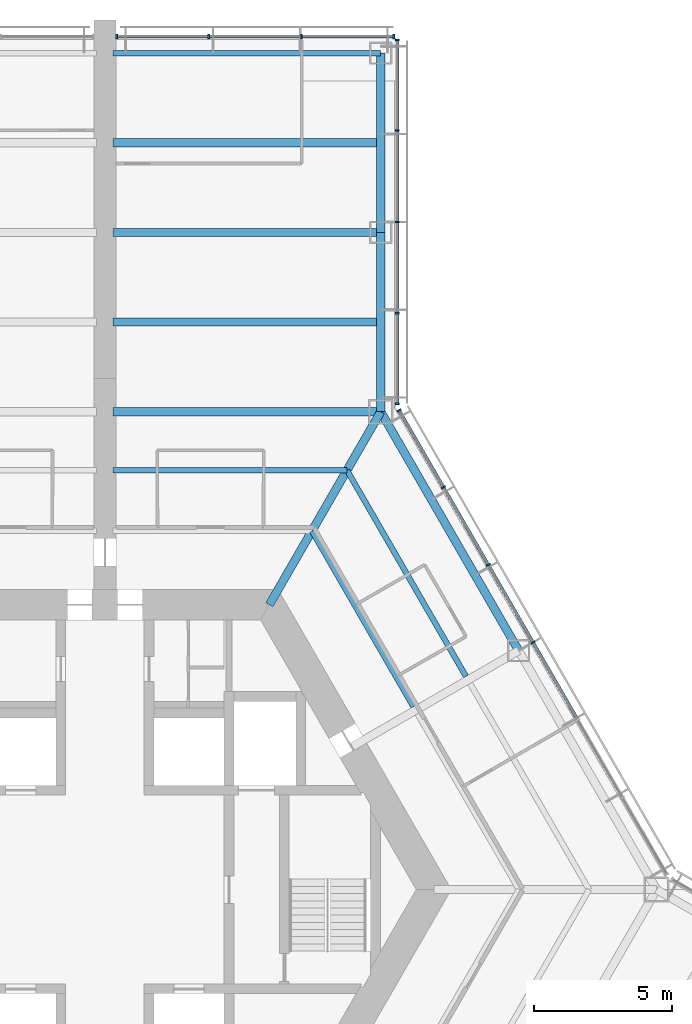
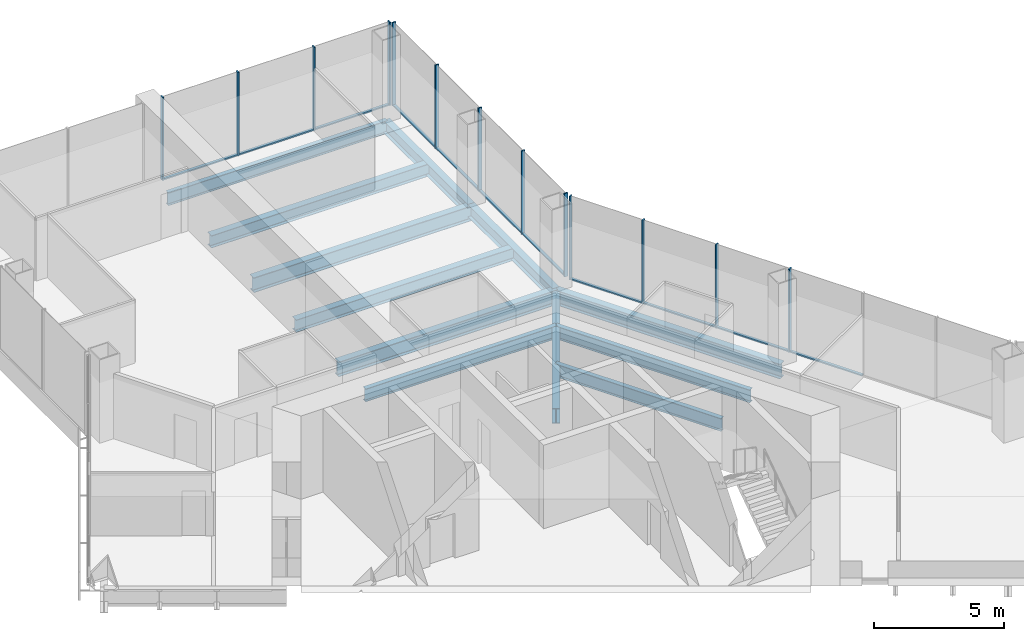
# One storey, part 8 of 18: 24 members, 12 beams, 3 elements without a shape of their own.
"""IFC4 building model written with IfcOpenShell, lengths in metres."""

from ifc_helpers import new_model, si_unit, direction, frame, origin, origin_2d, place, context, subcontext, project, spatial, rectangle, i_section, extrude, material, material_profile, profile_set, type_object, element, aggregate, save


model = new_model("IFC4")

# Units and contexts
model_context = context("Model", 3, precision=1e-05, world=origin(), true_north=direction((0.0, 1.0)))
body_context = subcontext(model_context, "Body", "Model", "MODEL_VIEW")
ifc_project = project(units=[si_unit("LENGTHUNIT", "METRE"), si_unit("AREAUNIT", "SQUARE_METRE"), si_unit("VOLUMEUNIT", "CUBIC_METRE"), si_unit("PLANEANGLEUNIT", "RADIAN"), si_unit("MASSUNIT", "GRAM", prefix="KILO")], contexts=[model_context])

# Site, building, storey
site_placement = place(None, origin())
site = spatial("IfcSite", under=ifc_project, at=site_placement, CompositionType="ELEMENT")
building_placement = place(site_placement, origin())
building = spatial("IfcBuilding", under=site, at=building_placement, Name="Kasaneha Research Tower", CompositionType="ELEMENT")
storey_placement = place(building_placement, frame((0.0, 0.0, 111.89990234375)))
storey = spatial("IfcBuildingStorey", under=building, at=storey_placement, Name="L28", CompositionType="ELEMENT", Elevation=111.89990234375)

# Beams
ifc_material_1 = material(Name="Steel SN490B", Category="steel")
ifc_material_profile_1 = material_profile(ifc_material_1, i_section(OverallWidth=0.199951171875, OverallDepth=0.60009765625, WebThickness=0.010986328125, FlangeThickness=0.01708984375, FilletRadius=0.012939453125, at=origin_2d()), Name="H-600x200x11x17")
ifc_profile_set_1 = profile_set([ifc_material_profile_1], Name="Steel SN490B")
beam_type_1 = type_object("IfcBeamType", Name="B1-3 secondary beam H-600x200x11x17", PredefinedType="JOIST", material=ifc_profile_set_1)
beam_1_placement = place(storey_placement, frame((7.505615234375, 13.0, -0.449951171875), z_axis=(0.499994443168, -0.866028611999, 0.0), x_axis=(0.866028611999, 0.499994443168, 0.0)))
element("IfcBeam", 1, at=beam_1_placement, inside=storey, type_object=beam_type_1, Name="Secondary beam RS030R1 L28", PredefinedType="JOIST", context=body_context, shape_type="SweptSolid", body=[
    extrude(i_section(OverallWidth=0.199951171875, OverallDepth=0.60009765625, WebThickness=0.010986328125, FlangeThickness=0.01708984375, FilletRadius=0.012939453125, at=origin_2d()), origin(), (0.0, 0.0, 1.0), 7.35546875),
])
beam_2_placement = place(storey_placement, frame((8.775634765625, 15.199951171875, -0.449951171875), z_axis=(0.500017275495, -0.866015429543, 0.0), x_axis=(0.866015429543, 0.500017275495, 0.0)))
element("IfcBeam", 2, at=beam_2_placement, inside=storey, type_object=beam_type_1, Name="Secondary beam RS030R2 L28", PredefinedType="JOIST", context=body_context, shape_type="SweptSolid", body=[
    extrude(i_section(OverallWidth=0.199951171875, OverallDepth=0.60009765625, WebThickness=0.010986328125, FlangeThickness=0.01708984375, FilletRadius=0.012939453125, at=origin_2d()), origin(), (0.0, 0.0, 1.0), 8.625732421875),
])
beam_3_placement = place(storey_placement, frame((8.775634765625, 15.199951171875, -0.449951171875), z_axis=(-1.0, 0.0, 0.0), x_axis=(0.0, -1.0, 0.0)))
element("IfcBeam", 3, at=beam_3_placement, inside=storey, type_object=beam_type_1, Name="Secondary beam RS090L2 L28", PredefinedType="JOIST", context=body_context, shape_type="SweptSolid", body=[
    extrude(i_section(OverallWidth=0.199951171875, OverallDepth=0.60009765625, WebThickness=0.010986328125, FlangeThickness=0.01708984375, FilletRadius=0.012939453125, at=origin_2d()), origin(), (0.0, 0.0, 1.0), 8.4755859375),
])
ifc_material_2 = material(Name="Steel SN490B", Category="steel")
ifc_material_profile_2 = material_profile(ifc_material_2, i_section(OverallWidth=0.300048828125, OverallDepth=0.58203125, WebThickness=0.011962890625, FlangeThickness=0.01708984375, FilletRadius=0.012939453125, at=origin_2d()), Name="H-582x300x12x17")
ifc_profile_set_2 = profile_set([ifc_material_profile_2], Name="Steel SN490B")
beam_type_2 = type_object("IfcBeamType", Name="B2-3 secondary beam H-582x300x12x17", PredefinedType="JOIST", material=ifc_profile_set_2)
for number, where, z_axis, x_axis, name in (
    (4, (10.0, 20.570556640625, -0.44091796875), (-1.0, 0.0, 0.0), (0.0, -1.0, 0.0), "Secondary beam WBAP1 L28"),
    (5, (10.0, 27.070556640625, -0.44091796875), (-1.0, 0.0, 0.0), (0.0, -1.0, 0.0), "Secondary beam WBAP2 L28"),
):
    element("IfcBeam", number, at=place(storey_placement, frame(where, z_axis=z_axis, x_axis=x_axis)), inside=storey, type_object=beam_type_2, Name=name, PredefinedType="JOIST", context=body_context, shape_type="SweptSolid", body=[
        extrude(i_section(OverallWidth=0.300048828125, OverallDepth=0.58203125, WebThickness=0.011962890625, FlangeThickness=0.01708984375, FilletRadius=0.012939453125, at=origin_2d()), origin(), (0.0, 0.0, 1.0), 9.699951171875),
    ])

# Curtain wall, members
ifc_material_3 = material(Name="Glass and aluminium", Category="aluminium")
curtain_wall_type = type_object("IfcCurtainWallType", Name="Low-rise office curtain wall", PredefinedType="USERDEFINED", material=ifc_material_3)
curtain_wall_1_placement = place(storey_placement, origin())
curtain_wall_1 = element("IfcCurtainWall", 6, at=curtain_wall_1_placement, inside=storey, type_object=curtain_wall_type, Name="CW-O1 L28 run 07a", ObjectType="UNITISED CURTAIN WALL", PredefinedType="USERDEFINED")
ifc_material_4 = material(Name="Aluminium 6063-T6", Category="aluminium")
ifc_material_profile_3 = material_profile(ifc_material_4, rectangle(XDim=0.06005859375, YDim=0.159912109375, at=origin_2d()), Name="CW-O1 mullion 60x160")
ifc_profile_set_3 = profile_set([ifc_material_profile_3], Name="Aluminium 6063-T6")
member_type_1 = type_object("IfcMemberType", Name="CW-O1 mullion", PredefinedType="MULLION", material=ifc_profile_set_3)
member_1_placement = place(storey_placement, frame((15.51953125, 8.960205078125, 0.0), z_axis=(0.0, 0.0, 1.0), x_axis=(-0.49999996188, 0.866025425793, 0.0)))
member_1 = element("IfcMember", 7, at=member_1_placement, type_object=member_type_1, Name="CW-O1 mullion 4", PredefinedType="MULLION", context=body_context, shape_type="SweptSolid", body=[
    extrude(rectangle(XDim=0.06005859375, YDim=0.159912109375, at=origin_2d()), origin(), (0.0, 0.0, 1.0), 3.900146484375),
])
member_2_placement = place(storey_placement, frame((13.896484375, 11.771728515625, 0.0), z_axis=(0.0, 0.0, 1.0), x_axis=(-0.49999996188, 0.866025425793, 0.0)))
member_2 = element("IfcMember", 8, at=member_2_placement, type_object=member_type_1, Name="CW-O1 mullion 5", PredefinedType="MULLION", context=body_context, shape_type="SweptSolid", body=[
    extrude(rectangle(XDim=0.06005859375, YDim=0.159912109375, at=origin_2d()), origin(), (0.0, 0.0, 1.0), 3.900146484375),
])
member_3_placement = place(storey_placement, frame((12.273193359375, 14.583251953125, 0.0), z_axis=(0.0, 0.0, 1.0), x_axis=(-0.49999996188, 0.866025425793, 0.0)))
member_3 = element("IfcMember", 9, at=member_3_placement, type_object=member_type_1, Name="CW-O1 mullion 6", PredefinedType="MULLION", context=body_context, shape_type="SweptSolid", body=[
    extrude(rectangle(XDim=0.06005859375, YDim=0.159912109375, at=origin_2d()), origin(), (0.0, 0.0, 1.0), 3.900146484375),
])
member_4_placement = place(storey_placement, frame((10.6650390625, 17.36865234375, 0.0), z_axis=(0.0, 0.0, 1.0), x_axis=(-0.49999996188, 0.866025425793, 0.0)))
member_4 = element("IfcMember", 10, at=member_4_placement, type_object=member_type_1, Name="CW-O1 mullion 7", PredefinedType="MULLION", context=body_context, shape_type="SweptSolid", body=[
    extrude(rectangle(XDim=0.06005859375, YDim=0.159912109375, at=origin_2d()), origin(), (0.0, 0.0, 1.0), 3.900146484375),
])

curtain_wall_2_placement = place(storey_placement, origin())
curtain_wall_2 = element("IfcCurtainWall", 11, at=curtain_wall_2_placement, inside=storey, type_object=curtain_wall_type, Name="CW-O1 L28 run 08a", ObjectType="UNITISED CURTAIN WALL", PredefinedType="USERDEFINED")
member_5_placement = place(storey_placement, frame((10.60009765625, 17.611328125, 0.0), z_axis=(0.0, 0.0, 1.0), x_axis=(0.0, 1.0, 0.0)))
member_5 = element("IfcMember", 12, at=member_5_placement, type_object=member_type_1, Name="CW-O1 mullion 1", PredefinedType="MULLION", context=body_context, shape_type="SweptSolid", body=[
    extrude(rectangle(XDim=0.06005859375, YDim=0.159912109375, at=origin_2d()), origin(), (0.0, 0.0, 1.0), 3.900146484375),
])
member_6_placement = place(storey_placement, frame((10.60009765625, 20.89111328125, 0.0), z_axis=(0.0, 0.0, 1.0), x_axis=(0.0, 1.0, 0.0)))
member_6 = element("IfcMember", 13, at=member_6_placement, type_object=member_type_1, Name="CW-O1 mullion 2", PredefinedType="MULLION", context=body_context, shape_type="SweptSolid", body=[
    extrude(rectangle(XDim=0.06005859375, YDim=0.159912109375, at=origin_2d()), origin(), (0.0, 0.0, 1.0), 3.900146484375),
])
member_7_placement = place(storey_placement, frame((10.60009765625, 24.200927734375, 0.0), z_axis=(0.0, 0.0, 1.0), x_axis=(0.0, 1.0, 0.0)))
member_7 = element("IfcMember", 14, at=member_7_placement, type_object=member_type_1, Name="CW-O1 mullion 3", PredefinedType="MULLION", context=body_context, shape_type="SweptSolid", body=[
    extrude(rectangle(XDim=0.06005859375, YDim=0.159912109375, at=origin_2d()), origin(), (0.0, 0.0, 1.0), 3.900146484375),
])
member_8_placement = place(storey_placement, frame((10.60009765625, 27.5107421875, 0.0), z_axis=(0.0, 0.0, 1.0), x_axis=(0.0, 1.0, 0.0)))
member_8 = element("IfcMember", 15, at=member_8_placement, type_object=member_type_1, Name="CW-O1 mullion 4", PredefinedType="MULLION", context=body_context, shape_type="SweptSolid", body=[
    extrude(rectangle(XDim=0.06005859375, YDim=0.159912109375, at=origin_2d()), origin(), (0.0, 0.0, 1.0), 3.900146484375),
])
member_9_placement = place(storey_placement, frame((10.60009765625, 30.79052734375, 0.0), z_axis=(0.0, 0.0, 1.0), x_axis=(0.0, 1.0, 0.0)))
member_9 = element("IfcMember", 16, at=member_9_placement, type_object=member_type_1, Name="CW-O1 mullion 5", PredefinedType="MULLION", context=body_context, shape_type="SweptSolid", body=[
    extrude(rectangle(XDim=0.06005859375, YDim=0.159912109375, at=origin_2d()), origin(), (0.0, 0.0, 1.0), 3.900146484375),
])

curtain_wall_3_placement = place(storey_placement, origin())
curtain_wall_3 = element("IfcCurtainWall", 17, at=curtain_wall_3_placement, inside=storey, type_object=curtain_wall_type, Name="CW-O1 L28 run 09a", ObjectType="UNITISED CURTAIN WALL", PredefinedType="USERDEFINED")
member_10_placement = place(storey_placement, frame((10.469970703125, 30.92041015625, 0.0), z_axis=(0.0, 0.0, 1.0), x_axis=(-1.0, 0.0, 0.0)))
member_10 = element("IfcMember", 18, at=member_10_placement, type_object=member_type_1, Name="CW-O1 mullion 1", PredefinedType="MULLION", context=body_context, shape_type="SweptSolid", body=[
    extrude(rectangle(XDim=0.06005859375, YDim=0.159912109375, at=origin_2d()), origin(), (0.0, 0.0, 1.0), 3.900146484375),
])
member_11_placement = place(storey_placement, frame((7.13330078125, 30.92041015625, 0.0), z_axis=(0.0, 0.0, 1.0), x_axis=(-1.0, 0.0, 0.0)))
member_11 = element("IfcMember", 19, at=member_11_placement, type_object=member_type_1, Name="CW-O1 mullion 2", PredefinedType="MULLION", context=body_context, shape_type="SweptSolid", body=[
    extrude(rectangle(XDim=0.06005859375, YDim=0.159912109375, at=origin_2d()), origin(), (0.0, 0.0, 1.0), 3.900146484375),
])
member_12_placement = place(storey_placement, frame((3.7666015625, 30.92041015625, 0.0), z_axis=(0.0, 0.0, 1.0), x_axis=(-1.0, 0.0, 0.0)))
member_12 = element("IfcMember", 20, at=member_12_placement, type_object=member_type_1, Name="CW-O1 mullion 3", PredefinedType="MULLION", context=body_context, shape_type="SweptSolid", body=[
    extrude(rectangle(XDim=0.06005859375, YDim=0.159912109375, at=origin_2d()), origin(), (0.0, 0.0, 1.0), 3.900146484375),
])
member_13_placement = place(storey_placement, frame((0.429931640625, 30.92041015625, 0.0), z_axis=(0.0, 0.0, 1.0), x_axis=(-1.0, 0.0, 0.0)))
member_13 = element("IfcMember", 21, at=member_13_placement, type_object=member_type_1, Name="CW-O1 mullion 4", PredefinedType="MULLION", context=body_context, shape_type="SweptSolid", body=[
    extrude(rectangle(XDim=0.06005859375, YDim=0.159912109375, at=origin_2d()), origin(), (0.0, 0.0, 1.0), 3.900146484375),
])

# Member
ifc_material_5 = material(Name="Aluminium 6063-T6", Category="aluminium")
ifc_material_profile_4 = material_profile(ifc_material_5, rectangle(XDim=0.1201171875, YDim=0.06005859375, at=origin_2d()), Name="CW-O1 transom 120x60")
ifc_profile_set_4 = profile_set([ifc_material_profile_4], Name="Aluminium 6063-T6")
member_type_2 = type_object("IfcMemberType", Name="CW-O1 transom", PredefinedType="USERDEFINED", material=ifc_profile_set_4)
member_14_placement = place(storey_placement, frame((17.1279296875, 6.1748046875, 0.030029296875), z_axis=(-0.500012062035, 0.866018439653, 0.0), x_axis=(-0.866018439653, -0.500012062035, 0.0)))
member_14 = element("IfcMember", 22, at=member_14_placement, type_object=member_type_2, Name="CW-O1 transom 3", ObjectType="TRANSOM", PredefinedType="USERDEFINED", context=body_context, shape_type="SweptSolid", body=[
    extrude(rectangle(XDim=0.1201171875, YDim=0.06005859375, at=origin_2d()), origin(), (0.0, 0.0, 1.0), 3.1865234375),
])

member_15_placement = place(storey_placement, frame((15.504638671875, 8.986328125, 0.030029296875), z_axis=(-0.500012062035, 0.866018439653, 0.0), x_axis=(-0.866018439653, -0.500012062035, 0.0)))
member_15 = element("IfcMember", 23, at=member_15_placement, type_object=member_type_2, Name="CW-O1 transom 4", ObjectType="TRANSOM", PredefinedType="USERDEFINED", context=body_context, shape_type="SweptSolid", body=[
    extrude(rectangle(XDim=0.1201171875, YDim=0.06005859375, at=origin_2d()), origin(), (0.0, 0.0, 1.0), 3.1865234375),
])

member_16_placement = place(storey_placement, frame((13.88134765625, 11.797607421875, 0.030029296875), z_axis=(-0.500012062035, 0.866018439653, 0.0), x_axis=(-0.866018439653, -0.500012062035, 0.0)))
member_16 = element("IfcMember", 24, at=member_16_placement, type_object=member_type_2, Name="CW-O1 transom 5", ObjectType="TRANSOM", PredefinedType="USERDEFINED", context=body_context, shape_type="SweptSolid", body=[
    extrude(rectangle(XDim=0.1201171875, YDim=0.06005859375, at=origin_2d()), origin(), (0.0, 0.0, 1.0), 3.1865234375),
])

member_17_placement = place(storey_placement, frame((12.25830078125, 14.609130859375, 0.030029296875), z_axis=(-0.500023726918, 0.866011704609, 0.0), x_axis=(-0.866011704609, -0.500023726918, 0.0)))
member_17 = element("IfcMember", 25, at=member_17_placement, type_object=member_type_2, Name="CW-O1 transom 6", ObjectType="TRANSOM", PredefinedType="USERDEFINED", context=body_context, shape_type="SweptSolid", body=[
    extrude(rectangle(XDim=0.1201171875, YDim=0.06005859375, at=origin_2d()), origin(), (0.0, 0.0, 1.0), 3.156494140625),
])

aggregate(curtain_wall_1, [member_1, member_2, member_3, member_4, member_14, member_15, member_16, member_17])

member_18_placement = place(storey_placement, frame((10.60009765625, 17.641357421875, 0.030029296875), z_axis=(0.0, 1.0, 0.0), x_axis=(-1.0, 0.0, 0.0)))
member_18 = element("IfcMember", 26, at=member_18_placement, type_object=member_type_2, Name="CW-O1 transom 1", ObjectType="TRANSOM", PredefinedType="USERDEFINED", context=body_context, shape_type="SweptSolid", body=[
    extrude(rectangle(XDim=0.1201171875, YDim=0.06005859375, at=origin_2d()), origin(), (0.0, 0.0, 1.0), 3.2197265625),
])

member_19_placement = place(storey_placement, frame((10.60009765625, 20.921142578125, 0.030029296875), z_axis=(0.0, 1.0, 0.0), x_axis=(-1.0, 0.0, 0.0)))
member_19 = element("IfcMember", 27, at=member_19_placement, type_object=member_type_2, Name="CW-O1 transom 2", ObjectType="TRANSOM", PredefinedType="USERDEFINED", context=body_context, shape_type="SweptSolid", body=[
    extrude(rectangle(XDim=0.1201171875, YDim=0.06005859375, at=origin_2d()), origin(), (0.0, 0.0, 1.0), 3.249755859375),
])

member_20_placement = place(storey_placement, frame((10.60009765625, 24.23095703125, 0.030029296875), z_axis=(0.0, 1.0, 0.0), x_axis=(-1.0, 0.0, 0.0)))
member_20 = element("IfcMember", 28, at=member_20_placement, type_object=member_type_2, Name="CW-O1 transom 3", ObjectType="TRANSOM", PredefinedType="USERDEFINED", context=body_context, shape_type="SweptSolid", body=[
    extrude(rectangle(XDim=0.1201171875, YDim=0.06005859375, at=origin_2d()), origin(), (0.0, 0.0, 1.0), 3.249755859375),
])

member_21_placement = place(storey_placement, frame((10.60009765625, 27.540771484375, 0.030029296875), z_axis=(0.0, 1.0, 0.0), x_axis=(-1.0, 0.0, 0.0)))
member_21 = element("IfcMember", 29, at=member_21_placement, type_object=member_type_2, Name="CW-O1 transom 4", ObjectType="TRANSOM", PredefinedType="USERDEFINED", context=body_context, shape_type="SweptSolid", body=[
    extrude(rectangle(XDim=0.1201171875, YDim=0.06005859375, at=origin_2d()), origin(), (0.0, 0.0, 1.0), 3.2197265625),
])

aggregate(curtain_wall_2, [member_5, member_6, member_7, member_8, member_9, member_18, member_19, member_20, member_21])

member_22_placement = place(storey_placement, frame((10.43994140625, 30.92041015625, 0.030029296875), z_axis=(-1.0, 0.0, 0.0), x_axis=(0.0, -1.0, 0.0)))
member_22 = element("IfcMember", 30, at=member_22_placement, type_object=member_type_2, Name="CW-O1 transom 1", ObjectType="TRANSOM", PredefinedType="USERDEFINED", context=body_context, shape_type="SweptSolid", body=[
    extrude(rectangle(XDim=0.1201171875, YDim=0.06005859375, at=origin_2d()), origin(), (0.0, 0.0, 1.0), 3.276611328125),
])

member_23_placement = place(storey_placement, frame((7.103271484375, 30.92041015625, 0.030029296875), z_axis=(-1.0, 0.0, 0.0), x_axis=(0.0, -1.0, 0.0)))
member_23 = element("IfcMember", 31, at=member_23_placement, type_object=member_type_2, Name="CW-O1 transom 2", ObjectType="TRANSOM", PredefinedType="USERDEFINED", context=body_context, shape_type="SweptSolid", body=[
    extrude(rectangle(XDim=0.1201171875, YDim=0.06005859375, at=origin_2d()), origin(), (0.0, 0.0, 1.0), 3.306640625),
])

member_24_placement = place(storey_placement, frame((3.736572265625, 30.92041015625, 0.030029296875), z_axis=(-1.0, 0.0, 0.0), x_axis=(0.0, -1.0, 0.0)))
member_24 = element("IfcMember", 32, at=member_24_placement, type_object=member_type_2, Name="CW-O1 transom 3", ObjectType="TRANSOM", PredefinedType="USERDEFINED", context=body_context, shape_type="SweptSolid", body=[
    extrude(rectangle(XDim=0.1201171875, YDim=0.06005859375, at=origin_2d()), origin(), (0.0, 0.0, 1.0), 3.276611328125),
])

aggregate(curtain_wall_3, [member_10, member_11, member_12, member_13, member_22, member_23, member_24])

# Beams
ifc_material_6 = material(Name="Steel SN490B", Category="steel")
ifc_material_profile_5 = material_profile(ifc_material_6, i_section(OverallWidth=0.300048828125, OverallDepth=0.699951171875, WebThickness=0.012939453125, FlangeThickness=0.02392578125, FilletRadius=0.01806640625, at=origin_2d()), Name="H-700x300x13x24")
ifc_profile_set_5 = profile_set([ifc_material_profile_5], Name="Steel SN490B")
beam_type_3 = type_object("IfcBeamType", Name="G1-3 radial girder H-700x300x13x24", PredefinedType="BEAM", material=ifc_profile_set_5)
beam_4_placement = place(storey_placement, frame((5.961181640625, 10.324951171875, -0.5), z_axis=(0.49999105496, 0.866030568144, 0.0), x_axis=(-0.866030568144, 0.49999105496, 0.0)))
element("IfcBeam", 33, at=beam_4_placement, inside=storey, type_object=beam_type_3, Name="Radial girder RV060 L28", PredefinedType="BEAM", context=body_context, shape_type="SweptSolid", body=[
    extrude(i_section(OverallWidth=0.300048828125, OverallDepth=0.699951171875, WebThickness=0.012939453125, FlangeThickness=0.02392578125, FilletRadius=0.01806640625, at=origin_2d()), origin(), (0.0, 0.0, 1.0), 8.077880859375),
])
ifc_material_7 = material(Name="Steel SN490B", Category="steel")
ifc_material_profile_6 = material_profile(ifc_material_7, i_section(OverallWidth=0.300048828125, OverallDepth=0.69189453125, WebThickness=0.012939453125, FlangeThickness=0.02001953125, FilletRadius=0.01806640625, at=origin_2d()), Name="H-692x300x13x20")
ifc_profile_set_6 = profile_set([ifc_material_profile_6], Name="Steel SN490B")
beam_type_4 = type_object("IfcBeamType", Name="G3-3 plate edge girder H-692x300x13x20", PredefinedType="BEAM", material=ifc_profile_set_6)
beam_5_placement = place(storey_placement, frame((10.0, 17.320556640625, -0.495849609375), z_axis=(-1.0, 0.0, 0.0), x_axis=(0.0, -1.0, 0.0)))
element("IfcBeam", 34, at=beam_5_placement, inside=storey, type_object=beam_type_4, Name="Plate edge girder PEAP L28", PredefinedType="BEAM", context=body_context, shape_type="SweptSolid", body=[
    extrude(i_section(OverallWidth=0.300048828125, OverallDepth=0.69189453125, WebThickness=0.012939453125, FlangeThickness=0.02001953125, FilletRadius=0.01806640625, at=origin_2d()), origin(), (0.0, 0.0, 1.0), 9.699951171875),
])
ifc_material_8 = material(Name="Steel SN490B", Category="steel")
ifc_material_profile_7 = material_profile(ifc_material_8, i_section(OverallWidth=0.300048828125, OverallDepth=0.699951171875, WebThickness=0.012939453125, FlangeThickness=0.02392578125, FilletRadius=0.01806640625, at=origin_2d()), Name="H-700x300x13x24")
ifc_profile_set_7 = profile_set([ifc_material_profile_7], Name="Steel SN490B")
beam_type_5 = type_object("IfcBeamType", Name="G4-3 wing girder H-700x300x13x24", PredefinedType="BEAM", material=ifc_profile_set_7)
beam_6_placement = place(storey_placement, frame((10.0, 23.820556640625, -0.5), z_axis=(-1.0, 0.0, 0.0), x_axis=(0.0, -1.0, 0.0)))
element("IfcBeam", 35, at=beam_6_placement, inside=storey, type_object=beam_type_5, Name="Wing girder WGAP L28", PredefinedType="BEAM", context=body_context, shape_type="SweptSolid", body=[
    extrude(i_section(OverallWidth=0.300048828125, OverallDepth=0.699951171875, WebThickness=0.012939453125, FlangeThickness=0.02392578125, FilletRadius=0.01806640625, at=origin_2d()), origin(), (0.0, 0.0, 1.0), 9.699951171875),
])
ifc_material_9 = material(Name="Steel SN490B", Category="steel")
ifc_material_profile_8 = material_profile(ifc_material_9, i_section(OverallWidth=0.300048828125, OverallDepth=0.69189453125, WebThickness=0.012939453125, FlangeThickness=0.02001953125, FilletRadius=0.01806640625, at=origin_2d()), Name="H-692x300x13x20")
ifc_profile_set_8 = profile_set([ifc_material_profile_8], Name="Steel SN490B")
beam_type_6 = type_object("IfcBeamType", Name="SB1-3 spandrel beam H-692x300x13x20", PredefinedType="SPANDREL", material=ifc_profile_set_8)
beam_7_placement = place(storey_placement, frame((10.0, 17.320556640625, -0.495849609375), z_axis=(0.499993662806, -0.866029062534, 0.0), x_axis=(0.866029062534, 0.499993662806, 0.0)))
element("IfcBeam", 36, at=beam_7_placement, inside=storey, type_object=beam_type_6, Name="Spandrel beam SR030R L28", PredefinedType="SPANDREL", context=body_context, shape_type="SweptSolid", body=[
    extrude(i_section(OverallWidth=0.300048828125, OverallDepth=0.69189453125, WebThickness=0.012939453125, FlangeThickness=0.02001953125, FilletRadius=0.01806640625, at=origin_2d()), origin(), (0.0, 0.0, 1.0), 10.000244140625),
])
ifc_material_10 = material(Name="Steel SN490B", Category="steel")
ifc_material_profile_9 = material_profile(ifc_material_10, i_section(OverallWidth=0.300048828125, OverallDepth=0.58203125, WebThickness=0.011962890625, FlangeThickness=0.01708984375, FilletRadius=0.012939453125, at=origin_2d()), Name="H-582x300x12x17")
ifc_profile_set_9 = profile_set([ifc_material_profile_9], Name="Steel SN490B")
beam_type_7 = type_object("IfcBeamType", Name="SB2-3 spandrel beam H-582x300x12x17", PredefinedType="SPANDREL", material=ifc_profile_set_9)
for number, where, z_axis, x_axis, name in (
    (37, (10.0, 17.320556640625, -0.44091796875), (0.0, 1.0, 0.0), (-1.0, 0.0, 0.0), "Spandrel beam WSAP1 L28"),
    (38, (10.0, 23.820556640625, -0.44091796875), (0.0, 1.0, 0.0), (-1.0, 0.0, 0.0), "Spandrel beam WSAP2 L28"),
):
    element("IfcBeam", number, at=place(storey_placement, frame(where, z_axis=z_axis, x_axis=x_axis)), inside=storey, type_object=beam_type_7, Name=name, PredefinedType="SPANDREL", context=body_context, shape_type="SweptSolid", body=[
        extrude(i_section(OverallWidth=0.300048828125, OverallDepth=0.58203125, WebThickness=0.011962890625, FlangeThickness=0.01708984375, FilletRadius=0.012939453125, at=origin_2d()), origin(), (0.0, 0.0, 1.0), 6.5),
    ])
ifc_material_11 = material(Name="Steel SN490B", Category="steel")
ifc_material_profile_10 = material_profile(ifc_material_11, i_section(OverallWidth=0.199951171875, OverallDepth=0.60009765625, WebThickness=0.010986328125, FlangeThickness=0.01708984375, FilletRadius=0.012939453125, at=origin_2d()), Name="H-600x200x11x17")
ifc_profile_set_10 = profile_set([ifc_material_profile_10], Name="Steel SN490B")
beam_type_8 = type_object("IfcBeamType", Name="SB3-3 spandrel beam H-600x200x11x17", PredefinedType="SPANDREL", material=ifc_profile_set_10)
beam_8_placement = place(storey_placement, frame((10.0, 30.320556640625, -0.449951171875), z_axis=(-1.0, 0.0, 0.0), x_axis=(0.0, -1.0, 0.0)))
element("IfcBeam", 39, at=beam_8_placement, inside=storey, type_object=beam_type_8, Name="Spandrel beam WTAP L28", PredefinedType="SPANDREL", context=body_context, shape_type="SweptSolid", body=[
    extrude(i_section(OverallWidth=0.199951171875, OverallDepth=0.60009765625, WebThickness=0.010986328125, FlangeThickness=0.01708984375, FilletRadius=0.012939453125, at=origin_2d()), origin(), (0.0, 0.0, 1.0), 9.699951171875),
])

save(model, "model.ifc")
